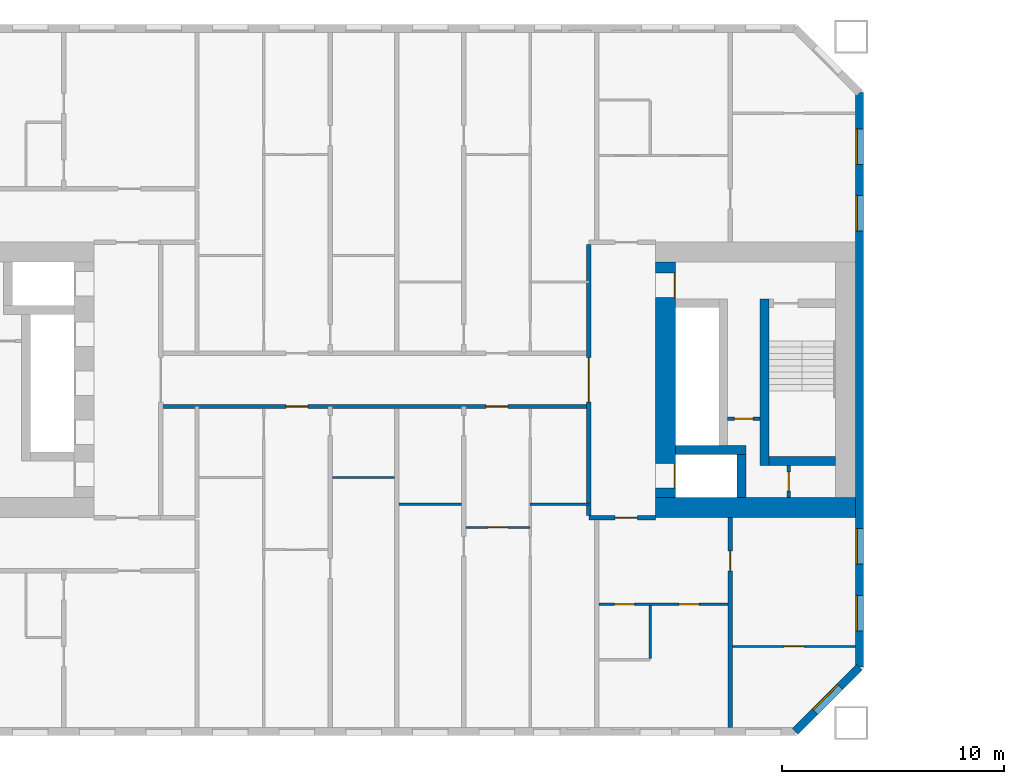
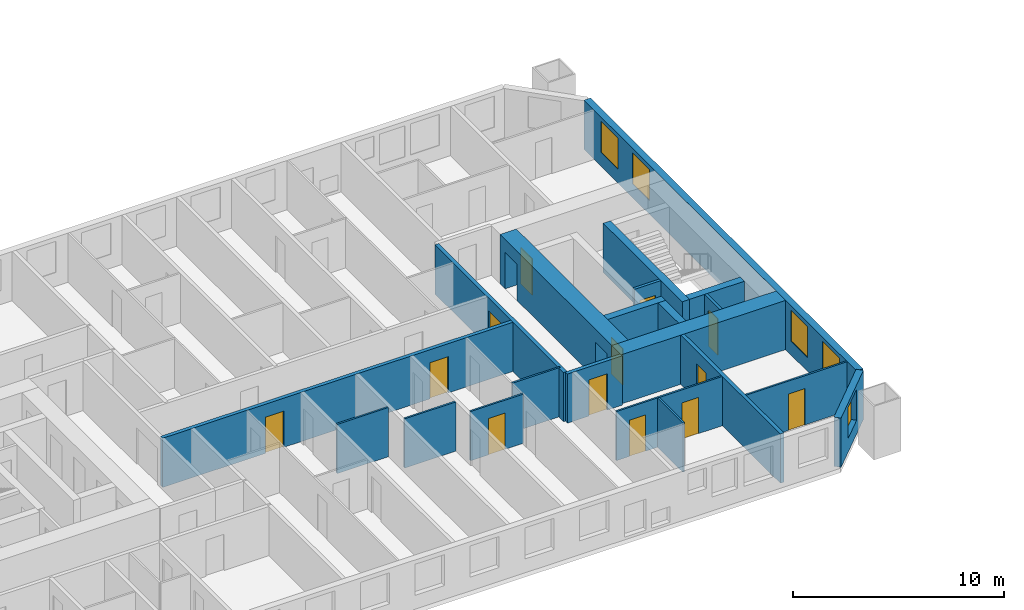
# One storey, part 7 of 17: 21 walls, 13 doors, 5 windows, 18 openings.
"""IFC4 building model written with IfcOpenShell, lengths in metres."""

from ifc_helpers import new_model, si_unit, direction, frame, frame_2d, origin, place, context, subcontext, project, spatial, rectangle, extrude, material, layer, layer_set, type_object, element, fill, save


model = new_model("IFC4")

# Units and contexts
model_context = context("Model", 3, precision=1e-05, world=origin(), true_north=direction((0.0, 1.0)))
body_context = subcontext(model_context, "Body", "Model", "MODEL_VIEW")
ifc_project = project(units=[si_unit("LENGTHUNIT", "METRE"), si_unit("AREAUNIT", "SQUARE_METRE"), si_unit("VOLUMEUNIT", "CUBIC_METRE"), si_unit("PLANEANGLEUNIT", "RADIAN"), si_unit("MASSUNIT", "GRAM", prefix="KILO")], contexts=[model_context])

# Site, building, storey
site_placement = place(None, origin())
site = spatial("IfcSite", under=ifc_project, at=site_placement, CompositionType="ELEMENT")
building_placement = place(site_placement, origin())
building = spatial("IfcBuilding", under=site, at=building_placement, Name="Tuart Gate Housing", CompositionType="ELEMENT")
storey_placement = place(building_placement, frame((0.0, 0.0, 25.699951171875)))
storey = spatial("IfcBuildingStorey", under=building, at=storey_placement, Name="L06", CompositionType="ELEMENT", Elevation=25.699951171875)

# Wall, opening, window
ifc_material_1 = material(Name="Brick", Category="masonry")
ifc_layer_1 = layer(ifc_material_1, 0.360107421875)
ifc_layer_set_1 = layer_set([ifc_layer_1], Name="Brick pier and spandrel wall 360")
wall_type_1 = type_object("IfcWallType", Name="Brick pier and spandrel wall 360", PredefinedType="STANDARD", material=ifc_layer_set_1)
wall_1_placement = place(storey_placement, frame((72.92529296875, 54.179931640625, 0.0), z_axis=(0.0, 0.0, 1.0), x_axis=(0.707106781187, 0.707106781187, 0.0)))
wall_1 = element("IfcWall", 1, at=wall_1_placement, inside=storey, type_object=wall_type_1, Name="External wall A-SE L06", PredefinedType="STANDARD", context=body_context, shape_type="SweptSolid", body=[
    extrude(rectangle(XDim=4.09375, YDim=0.360107421875, at=frame_2d((2.046875, 0.0))), origin(), (0.0, 0.0, 1.0), 2.85009765625),
])
opening_1_placement = place(wall_1_placement, frame((1.2470703125, 0.0, 0.800048828125)))
opening_1 = element("IfcOpeningElement", 2, at=opening_1_placement, cuts=wall_1, Name="Opening W1", PredefinedType="OPENING", context=body_context, shape_type="SweptSolid", body=[
    extrude(rectangle(XDim=1.60009765625, YDim=1.800048828125, at=frame_2d((0.800048828125, 0.89990234375))), frame((0.0, 0.18994140625, 0.0), z_axis=(0.0, -1.0, 0.0), x_axis=(1.0, 0.0, 0.0)), (0.0, 0.0, 1.0), 0.380126953125),
])
ifc_material_2 = material(Name="Aluminium frame with clear glass", Category="aluminium")
window_type = type_object("IfcWindowType", Name="Punched window 1600 x 1800", PartitioningType="SINGLE_PANEL", PredefinedType="WINDOW", material=ifc_material_2)
window_1_placement = place(opening_1_placement, origin())
window_1 = element("IfcWindow", 3, at=window_1_placement, inside=storey, type_object=window_type, Name="Window W1", OverallHeight=1.800048828125, OverallWidth=1.60009765625, PartitioningType="SINGLE_PANEL", PredefinedType="WINDOW", context=body_context, shape_type="SweptSolid", body=[
    extrude(rectangle(XDim=1.60009765625, YDim=1.800048828125, at=frame_2d((0.800048828125, 0.89990234375))), frame((0.0, 0.150146484375, 0.0), z_axis=(0.0, -1.0, 0.0), x_axis=(1.0, 0.0, 0.0)), (0.0, 0.0, 1.0), 0.06005859375),
])
fill(opening_1, window_1)

# Wall, openings, windows
wall_2_placement = place(storey_placement, frame((75.820068359375, 57.07470703125, 0.0), z_axis=(0.0, 0.0, 1.0), x_axis=(0.0, 1.0, 0.0)))
wall_2 = element("IfcWall", 4, at=wall_2_placement, inside=storey, type_object=wall_type_1, Name="External wall A-E L06", PredefinedType="STANDARD", context=body_context, shape_type="SweptSolid", body=[
    extrude(rectangle(XDim=25.850830078125, YDim=0.360107421875, at=frame_2d((12.92529296875, 0.0))), origin(), (0.0, 0.0, 1.0), 2.85009765625),
])
opening_2_placement = place(wall_2_placement, frame((1.62548828125, 0.0, 0.800048828125)))
opening_2 = element("IfcOpeningElement", 5, at=opening_2_placement, cuts=wall_2, Name="Opening W1", PredefinedType="OPENING", context=body_context, shape_type="SweptSolid", body=[
    extrude(rectangle(XDim=1.60009765625, YDim=1.800048828125, at=frame_2d((0.800048828125, 0.89990234375))), frame((0.0, 0.18994140625, 0.0), z_axis=(0.0, -1.0, 0.0), x_axis=(1.0, 0.0, 0.0)), (0.0, 0.0, 1.0), 0.380126953125),
])
opening_3_placement = place(wall_2_placement, frame((4.62548828125, 0.0, 0.800048828125)))
opening_3 = element("IfcOpeningElement", 6, at=opening_3_placement, cuts=wall_2, Name="Opening W1", PredefinedType="OPENING", context=body_context, shape_type="SweptSolid", body=[
    extrude(rectangle(XDim=1.60009765625, YDim=1.800048828125, at=frame_2d((0.800048828125, 0.89990234375))), frame((0.0, 0.18994140625, 0.0), z_axis=(0.0, -1.0, 0.0), x_axis=(1.0, 0.0, 0.0)), (0.0, 0.0, 1.0), 0.380126953125),
])
opening_4_placement = place(wall_2_placement, frame((19.62548828125, 0.0, 0.800048828125)))
opening_4 = element("IfcOpeningElement", 7, at=opening_4_placement, cuts=wall_2, Name="Opening W1", PredefinedType="OPENING", context=body_context, shape_type="SweptSolid", body=[
    extrude(rectangle(XDim=1.60009765625, YDim=1.800048828125, at=frame_2d((0.800048828125, 0.89990234375))), frame((0.0, 0.18994140625, 0.0), z_axis=(0.0, -1.0, 0.0), x_axis=(1.0, 0.0, 0.0)), (0.0, 0.0, 1.0), 0.380126953125),
])
opening_5_placement = place(wall_2_placement, frame((22.62548828125, 0.0, 0.800048828125)))
opening_5 = element("IfcOpeningElement", 8, at=opening_5_placement, cuts=wall_2, Name="Opening W1", PredefinedType="OPENING", context=body_context, shape_type="SweptSolid", body=[
    extrude(rectangle(XDim=1.60009765625, YDim=1.800048828125, at=frame_2d((0.800048828125, 0.89990234375))), frame((0.0, 0.18994140625, 0.0), z_axis=(0.0, -1.0, 0.0), x_axis=(1.0, 0.0, 0.0)), (0.0, 0.0, 1.0), 0.380126953125),
])
window_2_placement = place(opening_2_placement, origin())
window_2 = element("IfcWindow", 9, at=window_2_placement, inside=storey, type_object=window_type, Name="Window W1", OverallHeight=1.800048828125, OverallWidth=1.60009765625, PartitioningType="SINGLE_PANEL", PredefinedType="WINDOW", context=body_context, shape_type="SweptSolid", body=[
    extrude(rectangle(XDim=1.60009765625, YDim=1.800048828125, at=frame_2d((0.800048828125, 0.89990234375))), frame((0.0, 0.150146484375, 0.0), z_axis=(0.0, -1.0, 0.0), x_axis=(1.0, 0.0, 0.0)), (0.0, 0.0, 1.0), 0.06005859375),
])
fill(opening_2, window_2)
window_3_placement = place(opening_3_placement, origin())
window_3 = element("IfcWindow", 10, at=window_3_placement, inside=storey, type_object=window_type, Name="Window W1", OverallHeight=1.800048828125, OverallWidth=1.60009765625, PartitioningType="SINGLE_PANEL", PredefinedType="WINDOW", context=body_context, shape_type="SweptSolid", body=[
    extrude(rectangle(XDim=1.60009765625, YDim=1.800048828125, at=frame_2d((0.800048828125, 0.89990234375))), frame((0.0, 0.150146484375, 0.0), z_axis=(0.0, -1.0, 0.0), x_axis=(1.0, 0.0, 0.0)), (0.0, 0.0, 1.0), 0.06005859375),
])
fill(opening_3, window_3)
window_4_placement = place(opening_4_placement, origin())
window_4 = element("IfcWindow", 11, at=window_4_placement, inside=storey, type_object=window_type, Name="Window W1", OverallHeight=1.800048828125, OverallWidth=1.60009765625, PartitioningType="SINGLE_PANEL", PredefinedType="WINDOW", context=body_context, shape_type="SweptSolid", body=[
    extrude(rectangle(XDim=1.60009765625, YDim=1.800048828125, at=frame_2d((0.800048828125, 0.89990234375))), frame((0.0, 0.150146484375, 0.0), z_axis=(0.0, -1.0, 0.0), x_axis=(1.0, 0.0, 0.0)), (0.0, 0.0, 1.0), 0.06005859375),
])
fill(opening_4, window_4)
window_5_placement = place(opening_5_placement, origin())
window_5 = element("IfcWindow", 12, at=window_5_placement, inside=storey, type_object=window_type, Name="Window W1", OverallHeight=1.800048828125, OverallWidth=1.60009765625, PartitioningType="SINGLE_PANEL", PredefinedType="WINDOW", context=body_context, shape_type="SweptSolid", body=[
    extrude(rectangle(XDim=1.60009765625, YDim=1.800048828125, at=frame_2d((0.800048828125, 0.89990234375))), frame((0.0, 0.150146484375, 0.0), z_axis=(0.0, -1.0, 0.0), x_axis=(1.0, 0.0, 0.0)), (0.0, 0.0, 1.0), 0.06005859375),
])
fill(opening_5, window_5)

# Wall, opening, door
ifc_material_3 = material(Name="Plasterboard partition")
ifc_layer_2 = layer(ifc_material_3, 0.14990234375)
ifc_layer_set_2 = layer_set([ifc_layer_2], Name="Core partition 150")
wall_type_2 = type_object("IfcWallType", Name="Core partition 150", PredefinedType="PARTITIONING", material=ifc_layer_set_2)
wall_3_placement = place(storey_placement, frame((69.889892578125, 68.25, 0.0), z_axis=(0.0, 0.0, 1.0), x_axis=(1.0, 0.0, 0.0)))
wall_3 = element("IfcWall", 13, at=wall_3_placement, inside=storey, type_object=wall_type_2, Name="Core partition AG.3", PredefinedType="PARTITIONING", context=body_context, shape_type="SweptSolid", body=[
    extrude(rectangle(XDim=1.4501953125, YDim=0.14990234375, at=frame_2d((0.72509765625, 0.0))), origin(), (0.0, 0.0, 1.0), 2.85009765625),
])
opening_6_placement = place(wall_3_placement, frame((0.300048828125, 0.0, 0.0)))
opening_6 = element("IfcOpeningElement", 14, at=opening_6_placement, cuts=wall_3, Name="Opening D381", PredefinedType="OPENING", context=body_context, shape_type="SweptSolid", body=[
    extrude(rectangle(XDim=0.85009765625, YDim=2.10009765625, at=frame_2d((0.425048828125, 1.050048828125))), frame((0.0, 0.0849609375, 0.0), z_axis=(0.0, -1.0, 0.0), x_axis=(1.0, 0.0, 0.0)), (0.0, 0.0, 1.0), 0.169921875),
])
ifc_material_4 = material(Name="Steel fire door", Category="steel")
door_type_1 = type_object("IfcDoorType", Name="Riser door 850 x 2100 RH", OperationType="SINGLE_SWING_RIGHT", PredefinedType="DOOR", material=ifc_material_4)
door_1_placement = place(opening_6_placement, frame((0.85009765625, 0.0, 0.0), z_axis=(0.0, 0.0, 1.0), x_axis=(-1.0, 0.0, 0.0)))
door_1 = element("IfcDoor", 15, at=door_1_placement, inside=storey, type_object=door_type_1, Name="Service room door AG.E1", OperationType="SINGLE_SWING_RIGHT", OverallHeight=2.10009765625, OverallWidth=0.85009765625, PredefinedType="DOOR", context=body_context, shape_type="SweptSolid", body=[
    extrude(rectangle(XDim=0.85009765625, YDim=2.10009765625, at=frame_2d((0.425048828125, 1.050048828125))), frame((0.0, 0.025146484375, 0.0), z_axis=(0.0, -1.0, 0.0), x_axis=(1.0, 0.0, 0.0)), (0.0, 0.0, 1.0), 0.050048828125),
])
fill(opening_6, door_1)

wall_4_placement = place(storey_placement, frame((72.639892578125, 64.699951171875, 0.0), z_axis=(0.0, 0.0, 1.0), x_axis=(0.0, 1.0, 0.0)))
wall_4 = element("IfcWall", 16, at=wall_4_placement, inside=storey, type_object=wall_type_2, Name="Core partition AG.9", PredefinedType="PARTITIONING", context=body_context, shape_type="SweptSolid", body=[
    extrude(rectangle(XDim=1.449951171875, YDim=0.14990234375, at=frame_2d((0.72509765625, 0.0))), origin(), (0.0, 0.0, 1.0), 2.85009765625),
])
opening_7_placement = place(wall_4_placement, frame((0.300048828125, 0.0, 0.0)))
opening_7 = element("IfcOpeningElement", 17, at=opening_7_placement, cuts=wall_4, Name="Opening D383", PredefinedType="OPENING", context=body_context, shape_type="SweptSolid", body=[
    extrude(rectangle(XDim=0.85009765625, YDim=2.10009765625, at=frame_2d((0.425048828125, 1.050048828125))), frame((0.0, 0.0849609375, 0.0), z_axis=(0.0, -1.0, 0.0), x_axis=(1.0, 0.0, 0.0)), (0.0, 0.0, 1.0), 0.169921875),
])
ifc_material_5 = material(Name="Steel fire door", Category="steel")
door_type_2 = type_object("IfcDoorType", Name="Service door 850 x 2100", OperationType="SINGLE_SWING_LEFT", PredefinedType="DOOR", material=ifc_material_5)
door_2_placement = place(opening_7_placement, origin())
door_2 = element("IfcDoor", 18, at=door_2_placement, inside=storey, type_object=door_type_2, Name="Service room door AG.E2", OperationType="SINGLE_SWING_LEFT", OverallHeight=2.10009765625, OverallWidth=0.85009765625, PredefinedType="DOOR", context=body_context, shape_type="SweptSolid", body=[
    extrude(rectangle(XDim=0.85009765625, YDim=2.10009765625, at=frame_2d((0.425048828125, 1.050048828125))), frame((0.0, 0.02490234375, 0.0), z_axis=(0.0, -1.0, 0.0), x_axis=(1.0, 0.0, 0.0)), (0.0, 0.0, 1.0), 0.050048828125),
])
fill(opening_7, door_2)

# Walls
ifc_material_6 = material(Name="Concrete C60", Category="concrete")
ifc_layer_3 = layer(ifc_material_6, 0.39990234375)
ifc_layer_set_3 = layer_set([ifc_layer_3], Name="Core wall 400 C60")
wall_type_3 = type_object("IfcWallType", Name="Core wall 400 C60", PredefinedType="SHEAR", material=ifc_layer_set_3)
wall_5_placement = place(storey_placement, frame((71.739990234375, 66.35009765625, 0.0), z_axis=(0.0, 0.0, 1.0), x_axis=(1.0, 0.0, 0.0)))
element("IfcWall", 19, at=wall_5_placement, inside=storey, type_object=wall_type_3, Name="Core wall AG.1", PredefinedType="SHEAR", context=body_context, shape_type="SweptSolid", body=[
    extrude(rectangle(XDim=3.0, YDim=0.39990234375, at=frame_2d((1.5, 0.0))), origin(), (0.0, 0.0, 1.0), 2.85009765625),
])
wall_6_placement = place(storey_placement, frame((67.5400390625, 66.85009765625, 0.0), z_axis=(0.0, 0.0, 1.0), x_axis=(1.0, 0.0, 0.0)))
element("IfcWall", 20, at=wall_6_placement, inside=storey, type_object=wall_type_3, Name="Core wall AG.2", PredefinedType="SHEAR", context=body_context, shape_type="SweptSolid", body=[
    extrude(rectangle(XDim=3.169921875, YDim=0.39990234375, at=frame_2d((1.5849609375, 0.0))), origin(), (0.0, 0.0, 1.0), 2.85009765625),
])
wall_7_placement = place(storey_placement, frame((70.510009765625, 64.699951171875, 0.0), z_axis=(0.0, 0.0, 1.0), x_axis=(0.0, 1.0, 0.0)))
element("IfcWall", 21, at=wall_7_placement, inside=storey, type_object=wall_type_3, Name="Core wall AG.7", PredefinedType="SHEAR", context=body_context, shape_type="SweptSolid", body=[
    extrude(rectangle(XDim=1.949951171875, YDim=0.39990234375, at=frame_2d((0.97509765625, 0.0))), origin(), (0.0, 0.0, 1.0), 2.85009765625),
])
wall_8_placement = place(storey_placement, frame((71.5400390625, 66.14990234375, 0.0), z_axis=(0.0, 0.0, 1.0), x_axis=(0.0, 1.0, 0.0)))
element("IfcWall", 22, at=wall_8_placement, inside=storey, type_object=wall_type_3, Name="Core wall AG.8", PredefinedType="SHEAR", context=body_context, shape_type="SweptSolid", body=[
    extrude(rectangle(XDim=7.5, YDim=0.39990234375, at=frame_2d((3.75, 0.0))), origin(), (0.0, 0.0, 1.0), 2.85009765625),
])

# Wall, openings, doors
ifc_material_7 = material(Name="Concrete C60", Category="concrete")
ifc_layer_4 = layer(ifc_material_7, 0.89990234375)
ifc_layer_set_4 = layer_set([ifc_layer_4], Name="Core wall 900 C60")
wall_type_4 = type_object("IfcWallType", Name="Core wall 900 C60", PredefinedType="SHEAR", material=ifc_layer_set_4)
wall_9_placement = place(storey_placement, frame((67.090087890625, 64.699951171875, 0.0), z_axis=(0.0, 0.0, 1.0), x_axis=(0.0, 1.0, 0.0)))
wall_9 = element("IfcWall", 23, at=wall_9_placement, inside=storey, type_object=wall_type_4, Name="Core wall AG front", PredefinedType="SHEAR", context=body_context, shape_type="SweptSolid", body=[
    extrude(rectangle(XDim=10.60009765625, YDim=0.89990234375, at=frame_2d((5.300048828125, 0.0))), origin(), (0.0, 0.0, 1.0), 2.85009765625),
])
opening_8_placement = place(wall_9_placement, frame((0.425048828125, 0.0, 0.0)))
opening_8 = element("IfcOpeningElement", 24, at=opening_8_placement, cuts=wall_9, Name="Opening LD-FA1", PredefinedType="OPENING", context=body_context, shape_type="SweptSolid", body=[
    extrude(rectangle(XDim=1.10009765625, YDim=2.10009765625, at=frame_2d((0.550048828125, 1.050048828125))), frame((0.0, 0.4599609375, 0.0), z_axis=(0.0, -1.0, 0.0), x_axis=(1.0, 0.0, 0.0)), (0.0, 0.0, 1.0), 0.919921875),
])
opening_9_placement = place(wall_9_placement, frame((9.0, 0.0, 0.0)))
opening_9 = element("IfcOpeningElement", 25, at=opening_9_placement, cuts=wall_9, Name="Opening D378", PredefinedType="OPENING", context=body_context, shape_type="SweptSolid", body=[
    extrude(rectangle(XDim=1.10009765625, YDim=2.10009765625, at=frame_2d((0.550048828125, 1.050048828125))), frame((0.0, 0.4599609375, 0.0), z_axis=(0.0, -1.0, 0.0), x_axis=(1.0, 0.0, 0.0)), (0.0, 0.0, 1.0), 0.919921875),
])
ifc_material_8 = material(Name="Stainless steel", Category="steel")
door_type_3 = type_object("IfcDoorType", Name="Landing door 1100 x 2100", OperationType="DOUBLE_DOOR_SLIDING", PredefinedType="DOOR", material=ifc_material_8)
door_3_placement = place(opening_8_placement, origin())
door_3 = element("IfcDoor", 26, at=door_3_placement, inside=storey, type_object=door_type_3, Name="Lift landing door FA1", OperationType="DOUBLE_DOOR_SLIDING", OverallHeight=2.10009765625, OverallWidth=1.10009765625, PredefinedType="DOOR", context=body_context, shape_type="SweptSolid", body=[
    extrude(rectangle(XDim=1.10009765625, YDim=2.10009765625, at=frame_2d((0.550048828125, 1.050048828125))), frame((0.0, -0.384765625, 0.0), z_axis=(0.0, -1.0, 0.0), x_axis=(1.0, 0.0, 0.0)), (0.0, 0.0, 1.0), 0.050048828125),
])
fill(opening_8, door_3)
ifc_material_9 = material(Name="Steel fire door", Category="steel")
door_type_4 = type_object("IfcDoorType", Name="Lobby door 1100 x 2100 RH", OperationType="SINGLE_SWING_RIGHT", PredefinedType="DOOR", material=ifc_material_9)
door_4_placement = place(opening_9_placement, frame((1.10009765625, 0.0, 0.0), z_axis=(0.0, 0.0, 1.0), x_axis=(-1.0, 0.0, 0.0)))
door_4 = element("IfcDoor", 27, at=door_4_placement, inside=storey, type_object=door_type_4, Name="Lobby entry door AG.EN", OperationType="SINGLE_SWING_RIGHT", OverallHeight=2.10009765625, OverallWidth=1.10009765625, PredefinedType="DOOR", context=body_context, shape_type="SweptSolid", body=[
    extrude(rectangle(XDim=1.10009765625, YDim=2.10009765625, at=frame_2d((0.550048828125, 1.050048828125))), frame((0.0, 0.434814453125, 0.0), z_axis=(0.0, -1.0, 0.0), x_axis=(1.0, 0.0, 0.0)), (0.0, 0.0, 1.0), 0.050048828125),
])
fill(opening_9, door_4)

# Wall
wall_10_placement = place(storey_placement, frame((66.639892578125, 64.25, 0.0), z_axis=(0.0, 0.0, 1.0), x_axis=(1.0, 0.0, 0.0)))
element("IfcWall", 28, at=wall_10_placement, inside=storey, type_object=wall_type_4, Name="Core wall AG south", PredefinedType="SHEAR", context=body_context, shape_type="SweptSolid", body=[
    extrude(rectangle(XDim=9.0, YDim=0.89990234375, at=frame_2d((4.5, 0.0))), origin(), (0.0, 0.0, 1.0), 2.85009765625),
])

# Wall, openings, doors
ifc_material_10 = material(Name="Concrete masonry 15 MPa", Category="masonry")
ifc_layer_5 = layer(ifc_material_10, 0.199951171875)
ifc_layer_set_5 = layer_set([ifc_layer_5], Name="Corridor wall masonry 200")
wall_type_5 = type_object("IfcWallType", Name="Corridor wall masonry 200", PredefinedType="PARTITIONING", material=ifc_layer_set_5)
wall_11_placement = place(storey_placement, frame((44.360107421875, 68.800048828125, 0.0), z_axis=(0.0, 0.0, 1.0), x_axis=(1.0, 0.0, 0.0)))
wall_11 = element("IfcWall", 29, at=wall_11_placement, inside=storey, type_object=wall_type_5, Name="Corridor wall masonry 200", PredefinedType="PARTITIONING", context=body_context, shape_type="SweptSolid", body=[
    extrude(rectangle(XDim=19.27978515625, YDim=0.199951171875, at=frame_2d((9.639892578125, 0.0))), origin(), (0.0, 0.0, 1.0), 2.85009765625),
])
opening_10_placement = place(wall_11_placement, frame((14.639892578125, 0.0, 0.0)))
opening_10 = element("IfcOpeningElement", 30, at=opening_10_placement, cuts=wall_11, Name="Opening D379", PredefinedType="OPENING", context=body_context, shape_type="SweptSolid", body=[
    extrude(rectangle(XDim=1.0, YDim=2.10009765625, at=frame_2d((0.5, 1.050048828125))), frame((0.0, 0.10986328125, 0.0), z_axis=(0.0, -1.0, 0.0), x_axis=(1.0, 0.0, 0.0)), (0.0, 0.0, 1.0), 0.219970703125),
])
opening_11_placement = place(wall_11_placement, frame((5.639892578125, 0.0, 0.0)))
opening_11 = element("IfcOpeningElement", 31, at=opening_11_placement, cuts=wall_11, Name="Opening D380", PredefinedType="OPENING", context=body_context, shape_type="SweptSolid", body=[
    extrude(rectangle(XDim=1.0, YDim=2.10009765625, at=frame_2d((0.5, 1.050048828125))), frame((0.0, 0.10986328125, 0.0), z_axis=(0.0, -1.0, 0.0), x_axis=(1.0, 0.0, 0.0)), (0.0, 0.0, 1.0), 0.219970703125),
])
ifc_material_11 = material(Name="Timber door leaf in steel frame", Category="steel")
door_type_5 = type_object("IfcDoorType", Name="Flat entrance door 1000 RH", OperationType="SINGLE_SWING_RIGHT", PredefinedType="DOOR", material=ifc_material_11)
door_5_placement = place(opening_10_placement, frame((1.0, 0.0, 0.0), z_axis=(0.0, 0.0, 1.0), x_axis=(-1.0, 0.0, 0.0)))
door_5 = element("IfcDoor", 32, at=door_5_placement, inside=storey, type_object=door_type_5, Name="Flat entrance door", OperationType="SINGLE_SWING_RIGHT", OverallHeight=2.10009765625, OverallWidth=1.0, PredefinedType="DOOR", context=body_context, shape_type="SweptSolid", body=[
    extrude(rectangle(XDim=1.0, YDim=2.10009765625, at=frame_2d((0.5, 1.050048828125))), frame((0.0, 0.025146484375, 0.0), z_axis=(0.0, -1.0, 0.0), x_axis=(1.0, 0.0, 0.0)), (0.0, 0.0, 1.0), 0.050048828125),
])
fill(opening_10, door_5)
door_6_placement = place(opening_11_placement, frame((1.0, 0.0, 0.0), z_axis=(0.0, 0.0, 1.0), x_axis=(-1.0, 0.0, 0.0)))
door_6 = element("IfcDoor", 33, at=door_6_placement, inside=storey, type_object=door_type_5, Name="Flat entrance door", OperationType="SINGLE_SWING_RIGHT", OverallHeight=2.10009765625, OverallWidth=1.0, PredefinedType="DOOR", context=body_context, shape_type="SweptSolid", body=[
    extrude(rectangle(XDim=1.0, YDim=2.10009765625, at=frame_2d((0.5, 1.050048828125))), frame((0.0, 0.025146484375, 0.0), z_axis=(0.0, -1.0, 0.0), x_axis=(1.0, 0.0, 0.0)), (0.0, 0.0, 1.0), 0.050048828125),
])
fill(opening_11, door_6)

# Wall, opening, door
ifc_material_12 = material(Name="Concrete masonry 15 MPa", Category="masonry")
ifc_layer_6 = layer(ifc_material_12, 0.199951171875)
ifc_layer_set_6 = layer_set([ifc_layer_6], Name="Enclosure wall masonry 200")
wall_type_6 = type_object("IfcWallType", Name="Enclosure wall masonry 200", PredefinedType="PARTITIONING", material=ifc_layer_set_6)
wall_12_placement = place(storey_placement, frame((63.639892578125, 63.800048828125, 0.0), z_axis=(0.0, 0.0, 1.0), x_axis=(1.0, 0.0, 0.0)))
wall_12 = element("IfcWall", 34, at=wall_12_placement, inside=storey, type_object=wall_type_6, Name="Enclosure wall masonry 200", PredefinedType="PARTITIONING", context=body_context, shape_type="SweptSolid", body=[
    extrude(rectangle(XDim=3.0, YDim=0.199951171875, at=frame_2d((1.5, 0.0))), origin(), (0.0, 0.0, 1.0), 2.85009765625),
])
opening_12_placement = place(wall_12_placement, frame((1.179931640625, 0.0, 0.0)))
opening_12 = element("IfcOpeningElement", 35, at=opening_12_placement, cuts=wall_12, Name="Opening D386", PredefinedType="OPENING", context=body_context, shape_type="SweptSolid", body=[
    extrude(rectangle(XDim=1.0, YDim=2.10009765625, at=frame_2d((0.5, 1.050048828125))), frame((0.0, 0.10986328125, 0.0), z_axis=(0.0, -1.0, 0.0), x_axis=(1.0, 0.0, 0.0)), (0.0, 0.0, 1.0), 0.219970703125),
])
door_7_placement = place(opening_12_placement, frame((1.0, 0.0, 0.0), z_axis=(0.0, 0.0, 1.0), x_axis=(-1.0, 0.0, 0.0)))
door_7 = element("IfcDoor", 36, at=door_7_placement, inside=storey, type_object=door_type_5, Name="Flat entrance door", OperationType="SINGLE_SWING_RIGHT", OverallHeight=2.10009765625, OverallWidth=1.0, PredefinedType="DOOR", context=body_context, shape_type="SweptSolid", body=[
    extrude(rectangle(XDim=1.0, YDim=2.10009765625, at=frame_2d((0.5, 1.050048828125))), frame((0.0, 0.025146484375, 0.0), z_axis=(0.0, -1.0, 0.0), x_axis=(1.0, 0.0, 0.0)), (0.0, 0.0, 1.0), 0.050048828125),
])
fill(opening_12, door_7)

ifc_material_13 = material(Name="Plasterboard partition")
ifc_layer_7 = layer(ifc_material_13, 0.199951171875)
ifc_layer_set_7 = layer_set([ifc_layer_7], Name="Lobby wall 200")
wall_type_7 = type_object("IfcWallType", Name="Lobby wall 200", PredefinedType="PARTITIONING", material=ifc_layer_set_7)
wall_13_placement = place(storey_placement, frame((63.639892578125, 63.89990234375, 0.0), z_axis=(0.0, 0.0, 1.0), x_axis=(0.0, 1.0, 0.0)))
wall_13 = element("IfcWall", 37, at=wall_13_placement, inside=storey, type_object=wall_type_7, Name="Lift lobby wall AG", PredefinedType="PARTITIONING", context=body_context, shape_type="SweptSolid", body=[
    extrude(rectangle(XDim=12.2001953125, YDim=0.199951171875, at=frame_2d((6.10009765625, 0.0))), origin(), (0.0, 0.0, 1.0), 2.85009765625),
])
opening_13_placement = place(wall_13_placement, frame((5.10009765625, 0.0, 0.0)))
opening_13 = element("IfcOpeningElement", 38, at=opening_13_placement, cuts=wall_13, Name="Opening D377", PredefinedType="OPENING", context=body_context, shape_type="SweptSolid", body=[
    extrude(rectangle(XDim=2.0, YDim=2.10009765625, at=frame_2d((1.0, 1.050048828125))), frame((0.0, 0.10986328125, 0.0), z_axis=(0.0, -1.0, 0.0), x_axis=(1.0, 0.0, 0.0)), (0.0, 0.0, 1.0), 0.219970703125),
])
ifc_material_14 = material(Name="Steel fire door", Category="steel")
door_type_6 = type_object("IfcDoorType", Name="Smoke door 2000 x 2100", OperationType="DOUBLE_DOOR_SINGLE_SWING", PredefinedType="DOOR", material=ifc_material_14)
door_8_placement = place(opening_13_placement, frame((2.0, 0.0, 0.0), z_axis=(0.0, 0.0, 1.0), x_axis=(-1.0, 0.0, 0.0)))
door_8 = element("IfcDoor", 39, at=door_8_placement, inside=storey, type_object=door_type_6, Name="Lift lobby smoke door AG", OperationType="DOUBLE_DOOR_SINGLE_SWING", OverallHeight=2.10009765625, OverallWidth=2.0, PredefinedType="DOOR", context=body_context, shape_type="SweptSolid", body=[
    extrude(rectangle(XDim=2.0, YDim=2.10009765625, at=frame_2d((1.0, 1.050048828125))), frame((0.0, 0.025146484375, 0.0), z_axis=(0.0, -1.0, 0.0), x_axis=(1.0, 0.0, 0.0)), (0.0, 0.0, 1.0), 0.050048828125),
])
fill(opening_13, door_8)

ifc_material_15 = material(Name="Gypsum board on steel studs", Category="steel")
ifc_layer_8 = layer(ifc_material_15, 0.10009765625)
ifc_layer_set_8 = layer_set([ifc_layer_8], Name="Partition 100")
wall_type_8 = type_object("IfcWallType", Name="Partition 100", PredefinedType="PARTITIONING", material=ifc_layer_set_8)
wall_14_placement = place(storey_placement, frame((70.10009765625, 58.0, 0.0), z_axis=(0.0, 0.0, 1.0), x_axis=(1.0, 0.0, 0.0)))
wall_14 = element("IfcWall", 40, at=wall_14_placement, inside=storey, type_object=wall_type_8, Name="Partition 100", PredefinedType="PARTITIONING", context=body_context, shape_type="SweptSolid", body=[
    extrude(rectangle(XDim=5.539794921875, YDim=0.10009765625, at=frame_2d((2.77001953125, 0.0))), origin(), (0.0, 0.0, 1.0), 2.85009765625),
])
opening_14_placement = place(wall_14_placement, frame((2.320068359375, 0.0, 0.0)))
opening_14 = element("IfcOpeningElement", 41, at=opening_14_placement, cuts=wall_14, Name="Opening D404", PredefinedType="OPENING", context=body_context, shape_type="SweptSolid", body=[
    extrude(rectangle(XDim=0.89990234375, YDim=2.10009765625, at=frame_2d((0.449951171875, 1.050048828125))), frame((0.0, 0.06005859375, 0.0), z_axis=(0.0, -1.0, 0.0), x_axis=(1.0, 0.0, 0.0)), (0.0, 0.0, 1.0), 0.1201171875),
])
ifc_material_16 = material(Name="Timber door leaf in steel frame", Category="steel")
door_type_7 = type_object("IfcDoorType", Name="Internal door 900", OperationType="SINGLE_SWING_LEFT", PredefinedType="DOOR", material=ifc_material_16)
door_9_placement = place(opening_14_placement, frame((0.89990234375, 0.0, 0.0), z_axis=(0.0, 0.0, 1.0), x_axis=(-1.0, 0.0, 0.0)))
door_9 = element("IfcDoor", 42, at=door_9_placement, inside=storey, type_object=door_type_7, Name="Internal door", OperationType="SINGLE_SWING_LEFT", OverallHeight=2.10009765625, OverallWidth=0.89990234375, PredefinedType="DOOR", context=body_context, shape_type="SweptSolid", body=[
    extrude(rectangle(XDim=0.89990234375, YDim=2.10009765625, at=frame_2d((0.449951171875, 1.050048828125))), frame((0.0, 0.025146484375, 0.0), z_axis=(0.0, -1.0, 0.0), x_axis=(1.0, 0.0, 0.0)), (0.0, 0.0, 1.0), 0.050048828125),
])
fill(opening_14, door_9)

# Wall, openings, doors
wall_15_placement = place(storey_placement, frame((64.10009765625, 59.89990234375, 0.0), z_axis=(0.0, 0.0, 1.0), x_axis=(1.0, 0.0, 0.0)))
wall_15 = element("IfcWall", 43, at=wall_15_placement, inside=storey, type_object=wall_type_8, Name="Partition 100", PredefinedType="PARTITIONING", context=body_context, shape_type="SweptSolid", body=[
    extrude(rectangle(XDim=5.7998046875, YDim=0.10009765625, at=frame_2d((2.89990234375, 0.0))), origin(), (0.0, 0.0, 1.0), 2.85009765625),
])
opening_15_placement = place(wall_15_placement, frame((3.60009765625, 0.0, 0.0)))
opening_15 = element("IfcOpeningElement", 44, at=opening_15_placement, cuts=wall_15, Name="Opening D401", PredefinedType="OPENING", context=body_context, shape_type="SweptSolid", body=[
    extrude(rectangle(XDim=0.89990234375, YDim=2.10009765625, at=frame_2d((0.449951171875, 1.050048828125))), frame((0.0, 0.06005859375, 0.0), z_axis=(0.0, -1.0, 0.0), x_axis=(1.0, 0.0, 0.0)), (0.0, 0.0, 1.0), 0.1201171875),
])
opening_16_placement = place(wall_15_placement, frame((0.699951171875, 0.0, 0.0)))
opening_16 = element("IfcOpeningElement", 45, at=opening_16_placement, cuts=wall_15, Name="Opening D400", PredefinedType="OPENING", context=body_context, shape_type="SweptSolid", body=[
    extrude(rectangle(XDim=0.89990234375, YDim=2.10009765625, at=frame_2d((0.449951171875, 1.050048828125))), frame((0.0, 0.06005859375, 0.0), z_axis=(0.0, -1.0, 0.0), x_axis=(1.0, 0.0, 0.0)), (0.0, 0.0, 1.0), 0.1201171875),
])
ifc_material_17 = material(Name="Timber door leaf in steel frame", Category="steel")
door_type_8 = type_object("IfcDoorType", Name="Bathroom door 900", OperationType="SINGLE_SWING_LEFT", PredefinedType="DOOR", material=ifc_material_17)
door_10_placement = place(opening_16_placement, frame((0.89990234375, 0.0, 0.0), z_axis=(0.0, 0.0, 1.0), x_axis=(-1.0, 0.0, 0.0)))
door_10 = element("IfcDoor", 46, at=door_10_placement, inside=storey, type_object=door_type_8, Name="Bathroom door", OperationType="SINGLE_SWING_LEFT", OverallHeight=2.10009765625, OverallWidth=0.89990234375, PredefinedType="DOOR", context=body_context, shape_type="SweptSolid", body=[
    extrude(rectangle(XDim=0.89990234375, YDim=2.10009765625, at=frame_2d((0.449951171875, 1.050048828125))), frame((0.0, 0.025146484375, 0.0), z_axis=(0.0, -1.0, 0.0), x_axis=(1.0, 0.0, 0.0)), (0.0, 0.0, 1.0), 0.050048828125),
])
fill(opening_16, door_10)
ifc_material_18 = material(Name="Timber door leaf in steel frame", Category="steel")
door_type_9 = type_object("IfcDoorType", Name="Internal door 900 RH", OperationType="SINGLE_SWING_RIGHT", PredefinedType="DOOR", material=ifc_material_18)
door_11_placement = place(opening_15_placement, frame((0.89990234375, 0.0, 0.0), z_axis=(0.0, 0.0, 1.0), x_axis=(-1.0, 0.0, 0.0)))
door_11 = element("IfcDoor", 47, at=door_11_placement, inside=storey, type_object=door_type_9, Name="Internal door", OperationType="SINGLE_SWING_RIGHT", OverallHeight=2.10009765625, OverallWidth=0.89990234375, PredefinedType="DOOR", context=body_context, shape_type="SweptSolid", body=[
    extrude(rectangle(XDim=0.89990234375, YDim=2.10009765625, at=frame_2d((0.449951171875, 1.050048828125))), frame((0.0, 0.025146484375, 0.0), z_axis=(0.0, -1.0, 0.0), x_axis=(1.0, 0.0, 0.0)), (0.0, 0.0, 1.0), 0.050048828125),
])
fill(opening_15, door_11)

# Wall, opening, door
wall_16_placement = place(storey_placement, frame((58.10009765625, 63.360107421875, 0.0), z_axis=(0.0, 0.0, 1.0), x_axis=(1.0, 0.0, 0.0)))
wall_16 = element("IfcWall", 48, at=wall_16_placement, inside=storey, type_object=wall_type_8, Name="Partition 100", PredefinedType="PARTITIONING", context=body_context, shape_type="SweptSolid", body=[
    extrude(rectangle(XDim=2.89990234375, YDim=0.10009765625, at=frame_2d((1.449951171875, 0.0))), origin(), (0.0, 0.0, 1.0), 2.85009765625),
])
opening_17_placement = place(wall_16_placement, frame((1.0, 0.0, 0.0)))
opening_17 = element("IfcOpeningElement", 49, at=opening_17_placement, cuts=wall_16, Name="Opening D387", PredefinedType="OPENING", context=body_context, shape_type="SweptSolid", body=[
    extrude(rectangle(XDim=0.89990234375, YDim=2.10009765625, at=frame_2d((0.449951171875, 1.050048828125))), frame((0.0, 0.06005859375, 0.0), z_axis=(0.0, -1.0, 0.0), x_axis=(1.0, 0.0, 0.0)), (0.0, 0.0, 1.0), 0.1201171875),
])
door_12_placement = place(opening_17_placement, origin())
door_12 = element("IfcDoor", 50, at=door_12_placement, inside=storey, type_object=door_type_9, Name="Internal door", OperationType="SINGLE_SWING_RIGHT", OverallHeight=2.10009765625, OverallWidth=0.89990234375, PredefinedType="DOOR", context=body_context, shape_type="SweptSolid", body=[
    extrude(rectangle(XDim=0.89990234375, YDim=2.10009765625, at=frame_2d((0.449951171875, 1.050048828125))), frame((0.0, 0.02490234375, 0.0), z_axis=(0.0, -1.0, 0.0), x_axis=(1.0, 0.0, 0.0)), (0.0, 0.0, 1.0), 0.050048828125),
])
fill(opening_17, door_12)

# Walls
wall_17_placement = place(storey_placement, frame((55.10009765625, 64.39990234375, 0.0), z_axis=(0.0, 0.0, 1.0), x_axis=(1.0, 0.0, 0.0)))
element("IfcWall", 51, at=wall_17_placement, inside=storey, type_object=wall_type_8, Name="Partition 100", PredefinedType="PARTITIONING", context=body_context, shape_type="SweptSolid", body=[
    extrude(rectangle(XDim=2.7998046875, YDim=0.10009765625, at=frame_2d((1.39990234375, 0.0))), origin(), (0.0, 0.0, 1.0), 2.85009765625),
])
wall_18_placement = place(storey_placement, frame((61.0, 64.39990234375, 0.0), z_axis=(0.0, 0.0, 1.0), x_axis=(1.0, 0.0, 0.0)))
element("IfcWall", 52, at=wall_18_placement, inside=storey, type_object=wall_type_8, Name="Partition 100", PredefinedType="PARTITIONING", context=body_context, shape_type="SweptSolid", body=[
    extrude(rectangle(XDim=2.639892578125, YDim=0.10009765625, at=frame_2d((1.31982421875, 0.0))), origin(), (0.0, 0.0, 1.0), 2.85009765625),
])
wall_19_placement = place(storey_placement, frame((52.10009765625, 65.60009765625, 0.0), z_axis=(0.0, 0.0, 1.0), x_axis=(1.0, 0.0, 0.0)))
element("IfcWall", 53, at=wall_19_placement, inside=storey, type_object=wall_type_8, Name="Partition 100", PredefinedType="PARTITIONING", context=body_context, shape_type="SweptSolid", body=[
    extrude(rectangle(XDim=2.7998046875, YDim=0.10009765625, at=frame_2d((1.39990234375, 0.0))), origin(), (0.0, 0.0, 1.0), 2.85009765625),
])
wall_20_placement = place(storey_placement, frame((66.39990234375, 57.449951171875, 0.0), z_axis=(0.0, 0.0, 1.0), x_axis=(0.0, 1.0, 0.0)))
element("IfcWall", 54, at=wall_20_placement, inside=storey, type_object=wall_type_8, Name="Partition 100", PredefinedType="PARTITIONING", context=body_context, shape_type="SweptSolid", body=[
    extrude(rectangle(XDim=2.400146484375, YDim=0.10009765625, at=frame_2d((1.2001953125, 0.0))), origin(), (0.0, 0.0, 1.0), 2.85009765625),
])

# Wall, opening, door
ifc_material_19 = material(Name="Concrete C40", Category="concrete")
ifc_layer_9 = layer(ifc_material_19, 0.199951171875)
ifc_layer_set_9 = layer_set([ifc_layer_9], Name="Party wall concrete C40 200")
wall_type_9 = type_object("IfcWallType", Name="Party wall concrete C40 200", PredefinedType="SOLIDWALL", material=ifc_layer_set_9)
wall_21_placement = place(storey_placement, frame((70.0, 54.360107421875, 0.0), z_axis=(0.0, 0.0, 1.0), x_axis=(0.0, 1.0, 0.0)))
wall_21 = element("IfcWall", 55, at=wall_21_placement, inside=storey, type_object=wall_type_9, Name="Party wall concrete C40 200", PredefinedType="SOLIDWALL", context=body_context, shape_type="SweptSolid", body=[
    extrude(rectangle(XDim=9.43994140625, YDim=0.199951171875, at=frame_2d((4.719970703125, 0.0))), origin(), (0.0, 0.0, 1.0), 2.85009765625),
])
opening_18_placement = place(wall_21_placement, frame((7.0400390625, 0.0, 0.0)))
opening_18 = element("IfcOpeningElement", 56, at=opening_18_placement, cuts=wall_21, Name="Opening D403", PredefinedType="OPENING", context=body_context, shape_type="SweptSolid", body=[
    extrude(rectangle(XDim=0.89990234375, YDim=2.10009765625, at=frame_2d((0.449951171875, 1.050048828125))), frame((0.0, 0.10986328125, 0.0), z_axis=(0.0, -1.0, 0.0), x_axis=(1.0, 0.0, 0.0)), (0.0, 0.0, 1.0), 0.219970703125),
])
door_13_placement = place(opening_18_placement, origin())
door_13 = element("IfcDoor", 57, at=door_13_placement, inside=storey, type_object=door_type_7, Name="Internal door", OperationType="SINGLE_SWING_LEFT", OverallHeight=2.10009765625, OverallWidth=0.89990234375, PredefinedType="DOOR", context=body_context, shape_type="SweptSolid", body=[
    extrude(rectangle(XDim=0.89990234375, YDim=2.10009765625, at=frame_2d((0.449951171875, 1.050048828125))), frame((0.0, 0.02490234375, 0.0), z_axis=(0.0, -1.0, 0.0), x_axis=(1.0, 0.0, 0.0)), (0.0, 0.0, 1.0), 0.050048828125),
])
fill(opening_18, door_13)

save(model, "model.ifc")
